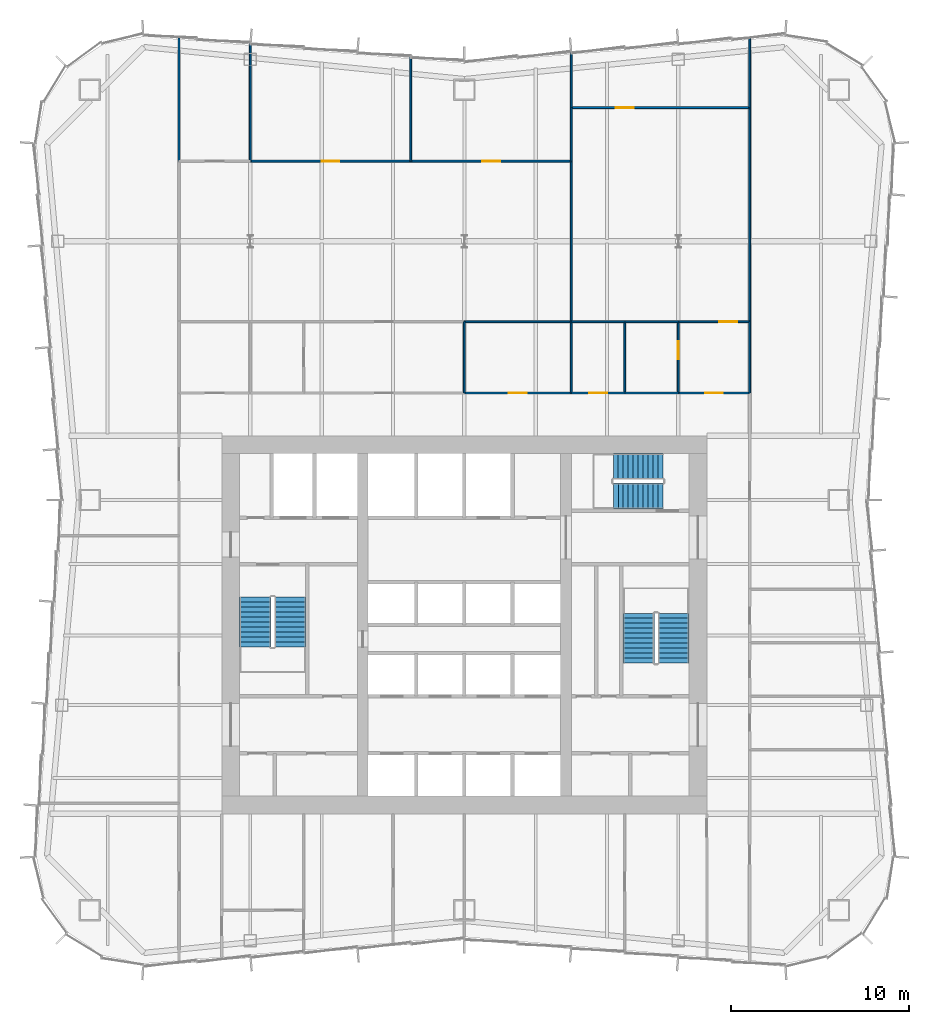
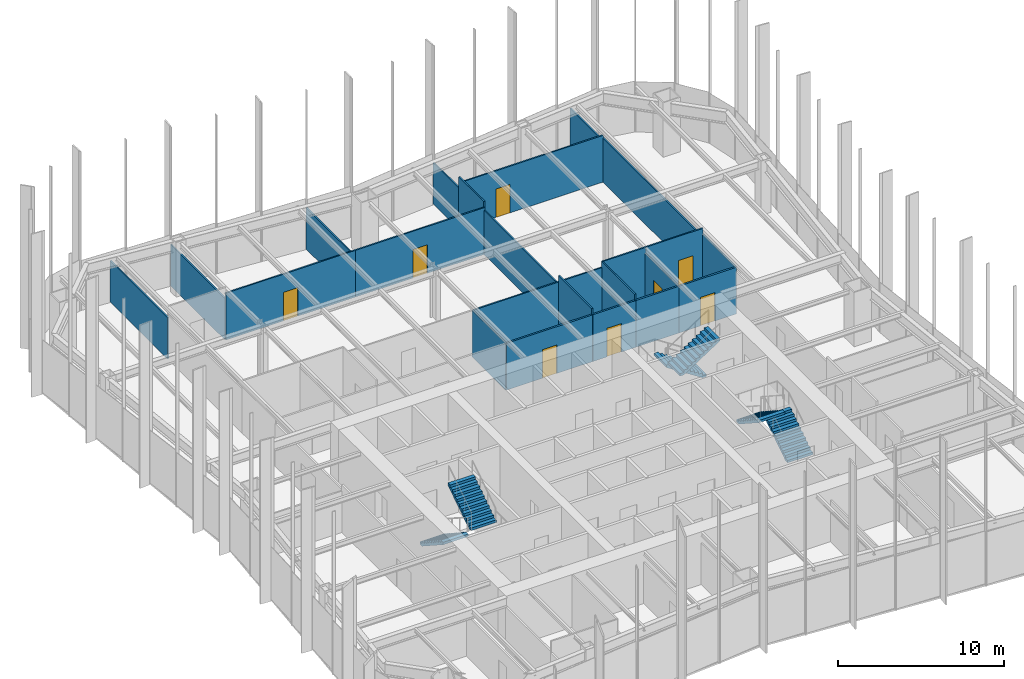
# One storey, part 12 of 13: 24 walls, 8 doors, 6 stair flights, 8 openings, 3 elements without a shape of their own.
"""IFC4 building model written with IfcOpenShell, lengths in metres."""

from ifc_helpers import new_model, si_unit, direction, frame, frame_2d, origin, place, context, subcontext, project, spatial, polyline, rectangle, outline, extrude, material, layer, layer_set, type_object, element, fill, aggregate, save


model = new_model("IFC4")

# Units and contexts
model_context = context("Model", 3, precision=1e-05, world=origin(), true_north=direction((0.0, 1.0)))
body_context = subcontext(model_context, "Body", "Model", "MODEL_VIEW")
ifc_project = project(units=[si_unit("LENGTHUNIT", "METRE"), si_unit("AREAUNIT", "SQUARE_METRE"), si_unit("VOLUMEUNIT", "CUBIC_METRE"), si_unit("PLANEANGLEUNIT", "RADIAN"), si_unit("MASSUNIT", "GRAM", prefix="KILO")], contexts=[model_context])

# Site, building, storey
site_placement = place(None, origin())
site = spatial("IfcSite", under=ifc_project, at=site_placement, CompositionType="ELEMENT")
building_placement = place(site_placement, origin())
building = spatial("IfcBuilding", under=site, at=building_placement, Name="Verdant Reach Tower", CompositionType="ELEMENT")
storey_placement = place(building_placement, frame((0.0, 0.0, 138.0)))
storey = spatial("IfcBuildingStorey", under=building, at=storey_placement, Name="L31", CompositionType="ELEMENT", Elevation=138.0)

# Walls
ifc_material_1 = material(Name="Gypsum board on steel studs", Category="steel")
ifc_layer_1 = layer(ifc_material_1, 0.10009765625)
ifc_layer_set_1 = layer_set([ifc_layer_1], Name="FL-W1 Partition 100")
wall_type_1 = type_object("IfcWallType", Name="FL-W1 Partition 100", PredefinedType="PARTITIONING", material=ifc_layer_set_1)
wall_1_placement = place(storey_placement, frame((-16.0, 54.0, 0.0), z_axis=(0.0, 0.0, 1.0), x_axis=(0.0, 1.0, 0.0)))
element("IfcWall", 1, at=wall_1_placement, inside=storey, type_object=wall_type_1, Name="Partition 31.23", PredefinedType="PARTITIONING", context=body_context, shape_type="SweptSolid", body=[
    extrude(rectangle(XDim=6.913330078125, YDim=0.10009765625, at=frame_2d((3.45654296875, 0.0))), origin(), (0.0, 0.0, 1.0), 3.0400390625),
])
wall_2_placement = place(storey_placement, frame((16.0, 45.0, 0.0), z_axis=(0.0, 0.0, 1.0), x_axis=(0.0, -1.0, 0.0)))
element("IfcWall", 2, at=wall_2_placement, inside=storey, type_object=wall_type_1, Name="Partition 31.28", PredefinedType="PARTITIONING", context=body_context, shape_type="SweptSolid", body=[
    extrude(rectangle(XDim=4.0, YDim=0.10009765625, at=frame_2d((2.0, 0.0))), origin(), (0.0, 0.0, 1.0), 3.43994140625),
])
wall_3_placement = place(storey_placement, frame((16.0, 57.0, 0.0), z_axis=(0.0, 0.0, 1.0), x_axis=(0.0, -1.0, 0.0)))
element("IfcWall", 3, at=wall_3_placement, inside=storey, type_object=wall_type_1, Name="Partition 31.29", PredefinedType="PARTITIONING", context=body_context, shape_type="SweptSolid", body=[
    extrude(rectangle(XDim=12.0, YDim=0.10009765625, at=frame_2d((6.0, 0.0))), origin(), (0.0, 0.0, 1.0), 3.239990234375),
])
wall_4_placement = place(storey_placement, frame((16.0, 60.913330078125, 0.0), z_axis=(0.0, 0.0, 1.0), x_axis=(0.0, -1.0, 0.0)))
element("IfcWall", 4, at=wall_4_placement, inside=storey, type_object=wall_type_1, Name="Partition 31.30", PredefinedType="PARTITIONING", context=body_context, shape_type="SweptSolid", body=[
    extrude(rectangle(XDim=3.913330078125, YDim=0.10009765625, at=frame_2d((1.95654296875, 0.0))), origin(), (0.0, 0.0, 1.0), 3.0400390625),
])
wall_5_placement = place(storey_placement, frame((0.0, 41.0, 0.0), z_axis=(0.0, 0.0, 1.0), x_axis=(0.0, 1.0, 0.0)))
element("IfcWall", 5, at=wall_5_placement, inside=storey, type_object=wall_type_1, Name="Partition 31.41", PredefinedType="PARTITIONING", context=body_context, shape_type="SweptSolid", body=[
    extrude(rectangle(XDim=4.0, YDim=0.10009765625, at=frame_2d((2.0, 0.0))), origin(), (0.0, 0.0, 1.0), 3.43994140625),
])
wall_6_placement = place(storey_placement, frame((6.0, 45.0, 0.0), z_axis=(0.0, 0.0, 1.0), x_axis=(-1.0, 0.0, 0.0)))
element("IfcWall", 6, at=wall_6_placement, inside=storey, type_object=wall_type_1, Name="Partition 31.43", PredefinedType="PARTITIONING", context=body_context, shape_type="SweptSolid", body=[
    extrude(rectangle(XDim=6.00390625, YDim=0.10009765625, at=frame_2d((3.001953125, 0.0))), origin(), (0.0, 0.0, 1.0), 3.43994140625),
])
wall_7_placement = place(storey_placement, frame((6.0, 41.0, 0.0), z_axis=(0.0, 0.0, 1.0), x_axis=(0.0, 1.0, 0.0)))
element("IfcWall", 7, at=wall_7_placement, inside=storey, type_object=wall_type_1, Name="Partition 31.44", PredefinedType="PARTITIONING", context=body_context, shape_type="SweptSolid", body=[
    extrude(rectangle(XDim=4.0, YDim=0.10009765625, at=frame_2d((2.0, 0.0))), origin(), (0.0, 0.0, 1.0), 3.8701171875),
])

# Wall, opening, door
wall_8_placement = place(storey_placement, frame((-12.0, 54.0, 0.0), z_axis=(0.0, 0.0, 1.0), x_axis=(1.0, 0.0, 0.0)))
wall_8 = element("IfcWall", 8, at=wall_8_placement, inside=storey, type_object=wall_type_1, Name="Partition 31.46", PredefinedType="PARTITIONING", context=body_context, shape_type="SweptSolid", body=[
    extrude(rectangle(XDim=9.0, YDim=0.10009765625, at=frame_2d((4.5, 0.0))), origin(), (0.0, 0.0, 1.0), 3.43994140625),
])
opening_1_placement = place(wall_8_placement, frame((4.0, 0.0, 0.0)))
opening_1 = element("IfcOpeningElement", 9, at=opening_1_placement, cuts=wall_8, Name="Opening D3", PredefinedType="OPENING", context=body_context, shape_type="SweptSolid", body=[
    extrude(rectangle(XDim=1.0, YDim=2.10009765625, at=frame_2d((0.5, 1.050048828125))), frame((0.0, 0.06005859375, 0.0), z_axis=(0.0, -1.0, 0.0), x_axis=(1.0, 0.0, 0.0)), (0.0, 0.0, 1.0), 0.1201171875),
])
ifc_material_2 = material(Name="Painted timber door leaf", Category="wood")
door_type_1 = type_object("IfcDoorType", Name="FL-D3 Door 1000x2100", OperationType="NOTDEFINED", PredefinedType="DOOR", material=ifc_material_2)
door_1_placement = place(opening_1_placement, origin())
door_1 = element("IfcDoor", 10, at=door_1_placement, inside=storey, type_object=door_type_1, Name="Door 31-023", OperationType="SINGLE_SWING_LEFT", OverallHeight=2.10009765625, OverallWidth=1.0, PredefinedType="DOOR", context=body_context, shape_type="SweptSolid", body=[
    extrude(rectangle(XDim=1.0, YDim=2.10009765625, at=frame_2d((0.5, 1.050048828125))), frame((0.0, 0.02490234375, 0.0), z_axis=(0.0, -1.0, 0.0), x_axis=(1.0, 0.0, 0.0)), (0.0, 0.0, 1.0), 0.050048828125),
])
fill(opening_1, door_1)

wall_9_placement = place(storey_placement, frame((-3.0, 54.0, 0.0), z_axis=(0.0, 0.0, 1.0), x_axis=(1.0, 0.0, 0.0)))
wall_9 = element("IfcWall", 11, at=wall_9_placement, inside=storey, type_object=wall_type_1, Name="Partition 31.47", PredefinedType="PARTITIONING", context=body_context, shape_type="SweptSolid", body=[
    extrude(rectangle(XDim=9.0, YDim=0.10009765625, at=frame_2d((4.5, 0.0))), origin(), (0.0, 0.0, 1.0), 3.43994140625),
])
opening_2_placement = place(wall_9_placement, frame((4.0, 0.0, 0.0)))
opening_2 = element("IfcOpeningElement", 12, at=opening_2_placement, cuts=wall_9, Name="Opening D3", PredefinedType="OPENING", context=body_context, shape_type="SweptSolid", body=[
    extrude(rectangle(XDim=1.0, YDim=2.10009765625, at=frame_2d((0.5, 1.050048828125))), frame((0.0, 0.06005859375, 0.0), z_axis=(0.0, -1.0, 0.0), x_axis=(1.0, 0.0, 0.0)), (0.0, 0.0, 1.0), 0.1201171875),
])
door_2_placement = place(opening_2_placement, origin())
door_2 = element("IfcDoor", 13, at=door_2_placement, inside=storey, type_object=door_type_1, Name="Door 31-024", OperationType="SINGLE_SWING_RIGHT", OverallHeight=2.10009765625, OverallWidth=1.0, PredefinedType="DOOR", context=body_context, shape_type="SweptSolid", body=[
    extrude(rectangle(XDim=1.0, YDim=2.10009765625, at=frame_2d((0.5, 1.050048828125))), frame((0.0, 0.02490234375, 0.0), z_axis=(0.0, -1.0, 0.0), x_axis=(1.0, 0.0, 0.0)), (0.0, 0.0, 1.0), 0.050048828125),
])
fill(opening_2, door_2)

# Walls
wall_10_placement = place(storey_placement, frame((6.0, 45.0, 0.0), z_axis=(0.0, 0.0, 1.0), x_axis=(0.0, 1.0, 0.0)))
element("IfcWall", 14, at=wall_10_placement, inside=storey, type_object=wall_type_1, Name="Partition 31.48", PredefinedType="PARTITIONING", context=body_context, shape_type="SweptSolid", body=[
    extrude(rectangle(XDim=9.00390625, YDim=0.10009765625, at=frame_2d((4.501953125, 0.0))), origin(), (0.0, 0.0, 1.0), 3.239990234375),
])
wall_11_placement = place(storey_placement, frame((-12.0, 54.0, 0.0), z_axis=(0.0, 0.0, 1.0), x_axis=(0.0, 1.0, 0.0)))
element("IfcWall", 15, at=wall_11_placement, inside=storey, type_object=wall_type_1, Name="Partition 31.49", PredefinedType="PARTITIONING", context=body_context, shape_type="SweptSolid", body=[
    extrude(rectangle(XDim=6.580078125, YDim=0.10009765625, at=frame_2d((3.2900390625, 0.0))), origin(), (0.0, 0.0, 1.0), 3.0400390625),
])
wall_12_placement = place(storey_placement, frame((-3.0, 54.0, 0.0), z_axis=(0.0, 0.0, 1.0), x_axis=(0.0, 1.0, 0.0)))
element("IfcWall", 16, at=wall_12_placement, inside=storey, type_object=wall_type_1, Name="Partition 31.50", PredefinedType="PARTITIONING", context=body_context, shape_type="SweptSolid", body=[
    extrude(rectangle(XDim=5.830078125, YDim=0.10009765625, at=frame_2d((2.9150390625, 0.0))), origin(), (0.0, 0.0, 1.0), 3.0400390625),
])
wall_13_placement = place(storey_placement, frame((6.0, 53.99609375, 0.0), z_axis=(0.0, 0.0, 1.0), x_axis=(0.0, 1.0, 0.0)))
element("IfcWall", 17, at=wall_13_placement, inside=storey, type_object=wall_type_1, Name="Partition 31.51", PredefinedType="PARTITIONING", context=body_context, shape_type="SweptSolid", body=[
    extrude(rectangle(XDim=3.00390625, YDim=0.10009765625, at=frame_2d((1.501953125, 0.0))), origin(), (0.0, 0.0, 1.0), 3.8701171875),
])
wall_14_placement = place(storey_placement, frame((6.0, 57.0, 0.0), z_axis=(0.0, 0.0, 1.0), x_axis=(0.0, 1.0, 0.0)))
element("IfcWall", 18, at=wall_14_placement, inside=storey, type_object=wall_type_1, Name="Partition 31.52", PredefinedType="PARTITIONING", context=body_context, shape_type="SweptSolid", body=[
    extrude(rectangle(XDim=3.080078125, YDim=0.10009765625, at=frame_2d((1.5400390625, 0.0))), origin(), (0.0, 0.0, 1.0), 3.0400390625),
])
wall_15_placement = place(storey_placement, frame((9.0, 41.0, 0.0), z_axis=(0.0, 0.0, 1.0), x_axis=(0.0, 1.0, 0.0)))
element("IfcWall", 19, at=wall_15_placement, inside=storey, type_object=wall_type_1, Name="Partition 31.53", PredefinedType="PARTITIONING", context=body_context, shape_type="SweptSolid", body=[
    extrude(rectangle(XDim=4.0, YDim=0.10009765625, at=frame_2d((2.0, 0.0))), origin(), (0.0, 0.0, 1.0), 3.8701171875),
])
wall_16_placement = place(storey_placement, frame((9.00390625, 45.0, 0.0), z_axis=(0.0, 0.0, 1.0), x_axis=(-1.0, 0.0, 0.0)))
element("IfcWall", 20, at=wall_16_placement, inside=storey, type_object=wall_type_1, Name="Partition 31.54", PredefinedType="PARTITIONING", context=body_context, shape_type="SweptSolid", body=[
    extrude(rectangle(XDim=3.00390625, YDim=0.10009765625, at=frame_2d((1.501953125, 0.0))), origin(), (0.0, 0.0, 1.0), 3.43994140625),
])

# Wall, opening, door
wall_17_placement = place(storey_placement, frame((12.0, 41.0, 0.0), z_axis=(0.0, 0.0, 1.0), x_axis=(0.0, 1.0, 0.0)))
wall_17 = element("IfcWall", 21, at=wall_17_placement, inside=storey, type_object=wall_type_1, Name="Partition 31.55", PredefinedType="PARTITIONING", context=body_context, shape_type="SweptSolid", body=[
    extrude(rectangle(XDim=4.0, YDim=0.10009765625, at=frame_2d((2.0, 0.0))), origin(), (0.0, 0.0, 1.0), 3.43994140625),
])
opening_3_placement = place(wall_17_placement, frame((1.89990234375, 0.0, 0.0)))
opening_3 = element("IfcOpeningElement", 22, at=opening_3_placement, cuts=wall_17, Name="Opening D3", PredefinedType="OPENING", context=body_context, shape_type="SweptSolid", body=[
    extrude(rectangle(XDim=1.0, YDim=2.10009765625, at=frame_2d((0.5, 1.050048828125))), frame((0.0, 0.06005859375, 0.0), z_axis=(0.0, -1.0, 0.0), x_axis=(1.0, 0.0, 0.0)), (0.0, 0.0, 1.0), 0.1201171875),
])
door_3_placement = place(opening_3_placement, origin())
door_3 = element("IfcDoor", 23, at=door_3_placement, inside=storey, type_object=door_type_1, Name="Door 31-025", OperationType="SINGLE_SWING_RIGHT", OverallHeight=2.10009765625, OverallWidth=1.0, PredefinedType="DOOR", context=body_context, shape_type="SweptSolid", body=[
    extrude(rectangle(XDim=1.0, YDim=2.10009765625, at=frame_2d((0.5, 1.050048828125))), frame((0.0, 0.02490234375, 0.0), z_axis=(0.0, -1.0, 0.0), x_axis=(1.0, 0.0, 0.0)), (0.0, 0.0, 1.0), 0.050048828125),
])
fill(opening_3, door_3)

# Wall
wall_18_placement = place(storey_placement, frame((12.00390625, 45.0, 0.0), z_axis=(0.0, 0.0, 1.0), x_axis=(-1.0, 0.0, 0.0)))
element("IfcWall", 24, at=wall_18_placement, inside=storey, type_object=wall_type_1, Name="Partition 31.56", PredefinedType="PARTITIONING", context=body_context, shape_type="SweptSolid", body=[
    extrude(rectangle(XDim=3.0078125, YDim=0.10009765625, at=frame_2d((1.50390625, 0.0))), origin(), (0.0, 0.0, 1.0), 3.8701171875),
])

# Wall, opening, door
wall_19_placement = place(storey_placement, frame((11.99609375, 45.0, 0.0), z_axis=(0.0, 0.0, 1.0), x_axis=(1.0, 0.0, 0.0)))
wall_19 = element("IfcWall", 25, at=wall_19_placement, inside=storey, type_object=wall_type_1, Name="Partition 31.57", PredefinedType="PARTITIONING", context=body_context, shape_type="SweptSolid", body=[
    extrude(rectangle(XDim=4.00390625, YDim=0.10009765625, at=frame_2d((2.001953125, 0.0))), origin(), (0.0, 0.0, 1.0), 3.8701171875),
])
opening_4_placement = place(wall_19_placement, frame((2.302001953125, 0.0, 0.0)))
opening_4 = element("IfcOpeningElement", 26, at=opening_4_placement, cuts=wall_19, Name="Opening D3", PredefinedType="OPENING", context=body_context, shape_type="SweptSolid", body=[
    extrude(rectangle(XDim=1.0, YDim=2.10009765625, at=frame_2d((0.5, 1.050048828125))), frame((0.0, 0.06005859375, 0.0), z_axis=(0.0, -1.0, 0.0), x_axis=(1.0, 0.0, 0.0)), (0.0, 0.0, 1.0), 0.1201171875),
])
door_4_placement = place(opening_4_placement, origin())
door_4 = element("IfcDoor", 27, at=door_4_placement, inside=storey, type_object=door_type_1, Name="Door 31-026", OperationType="SINGLE_SWING_RIGHT", OverallHeight=2.10009765625, OverallWidth=1.0, PredefinedType="DOOR", context=body_context, shape_type="SweptSolid", body=[
    extrude(rectangle(XDim=1.0, YDim=2.10009765625, at=frame_2d((0.5, 1.050048828125))), frame((0.0, 0.02490234375, 0.0), z_axis=(0.0, -1.0, 0.0), x_axis=(1.0, 0.0, 0.0)), (0.0, 0.0, 1.0), 0.050048828125),
])
fill(opening_4, door_4)

wall_20_placement = place(storey_placement, frame((6.0, 57.0, 0.0), z_axis=(0.0, 0.0, 1.0), x_axis=(1.0, 0.0, 0.0)))
wall_20 = element("IfcWall", 28, at=wall_20_placement, inside=storey, type_object=wall_type_1, Name="Partition 31.58", PredefinedType="PARTITIONING", context=body_context, shape_type="SweptSolid", body=[
    extrude(rectangle(XDim=10.0, YDim=0.10009765625, at=frame_2d((5.0, 0.0))), origin(), (0.0, 0.0, 1.0), 3.43994140625),
])
opening_5_placement = place(wall_20_placement, frame((2.5, 0.0, 0.0)))
opening_5 = element("IfcOpeningElement", 29, at=opening_5_placement, cuts=wall_20, Name="Opening D3", PredefinedType="OPENING", context=body_context, shape_type="SweptSolid", body=[
    extrude(rectangle(XDim=1.0, YDim=2.10009765625, at=frame_2d((0.5, 1.050048828125))), frame((0.0, 0.06005859375, 0.0), z_axis=(0.0, -1.0, 0.0), x_axis=(1.0, 0.0, 0.0)), (0.0, 0.0, 1.0), 0.1201171875),
])
door_5_placement = place(opening_5_placement, origin())
door_5 = element("IfcDoor", 30, at=door_5_placement, inside=storey, type_object=door_type_1, Name="Door 31-027", OperationType="SINGLE_SWING_LEFT", OverallHeight=2.10009765625, OverallWidth=1.0, PredefinedType="DOOR", context=body_context, shape_type="SweptSolid", body=[
    extrude(rectangle(XDim=1.0, YDim=2.10009765625, at=frame_2d((0.5, 1.050048828125))), frame((0.0, 0.02490234375, 0.0), z_axis=(0.0, -1.0, 0.0), x_axis=(1.0, 0.0, 0.0)), (0.0, 0.0, 1.0), 0.050048828125),
])
fill(opening_5, door_5)

ifc_material_3 = material(Name="Gypsum board on steel studs, fire rated", Category="steel")
ifc_layer_2 = layer(ifc_material_3, 0.125)
ifc_layer_set_2 = layer_set([ifc_layer_2], Name="FL-W2 Corridor wall 125")
wall_type_2 = type_object("IfcWallType", Name="FL-W2 Corridor wall 125", PredefinedType="PARTITIONING", material=ifc_layer_set_2)
wall_21_placement = place(storey_placement, frame((0.0, 41.0, 0.0), z_axis=(0.0, 0.0, 1.0), x_axis=(1.0, 0.0, 0.0)))
wall_21 = element("IfcWall", 31, at=wall_21_placement, inside=storey, type_object=wall_type_2, Name="Partition 31.15", PredefinedType="PARTITIONING", context=body_context, shape_type="SweptSolid", body=[
    extrude(rectangle(XDim=6.0, YDim=0.125, at=frame_2d((3.0, 0.0))), origin(), (0.0, 0.0, 1.0), 3.43994140625),
])
opening_6_placement = place(wall_21_placement, frame((2.5, 0.0, 0.0)))
opening_6 = element("IfcOpeningElement", 32, at=opening_6_placement, cuts=wall_21, Name="Opening D2", PredefinedType="OPENING", context=body_context, shape_type="SweptSolid", body=[
    extrude(rectangle(XDim=1.0, YDim=2.10009765625, at=frame_2d((0.5, 1.050048828125))), frame((0.0, 0.072509765625, 0.0), z_axis=(0.0, -1.0, 0.0), x_axis=(1.0, 0.0, 0.0)), (0.0, 0.0, 1.0), 0.14501953125),
])
ifc_material_4 = material(Name="Timber door leaf, fire rated", Category="wood")
door_type_2 = type_object("IfcDoorType", Name="FL-D2 Entrance door 1000x2100 FD30", OperationType="NOTDEFINED", PredefinedType="DOOR", material=ifc_material_4)
door_6_placement = place(opening_6_placement, origin())
door_6 = element("IfcDoor", 33, at=door_6_placement, inside=storey, type_object=door_type_2, Name="Door 31-013", OperationType="SINGLE_SWING_LEFT", OverallHeight=2.10009765625, OverallWidth=1.0, PredefinedType="DOOR", context=body_context, shape_type="SweptSolid", body=[
    extrude(rectangle(XDim=1.0, YDim=2.10009765625, at=frame_2d((0.5, 1.050048828125))), frame((0.0, 0.02490234375, 0.0), z_axis=(0.0, -1.0, 0.0), x_axis=(1.0, 0.0, 0.0)), (0.0, 0.0, 1.0), 0.050048828125),
])
fill(opening_6, door_6)

wall_22_placement = place(storey_placement, frame((6.0, 41.0, 0.0), z_axis=(0.0, 0.0, 1.0), x_axis=(1.0, 0.0, 0.0)))
wall_22 = element("IfcWall", 34, at=wall_22_placement, inside=storey, type_object=wall_type_2, Name="Partition 31.16", PredefinedType="PARTITIONING", context=body_context, shape_type="SweptSolid", body=[
    extrude(rectangle(XDim=3.0, YDim=0.125, at=frame_2d((1.5, 0.0))), origin(), (0.0, 0.0, 1.0), 3.43994140625),
])
opening_7_placement = place(wall_22_placement, frame((1.0, 0.0, 0.0)))
opening_7 = element("IfcOpeningElement", 35, at=opening_7_placement, cuts=wall_22, Name="Opening D2", PredefinedType="OPENING", context=body_context, shape_type="SweptSolid", body=[
    extrude(rectangle(XDim=1.0, YDim=2.10009765625, at=frame_2d((0.5, 1.050048828125))), frame((0.0, 0.072509765625, 0.0), z_axis=(0.0, -1.0, 0.0), x_axis=(1.0, 0.0, 0.0)), (0.0, 0.0, 1.0), 0.14501953125),
])
door_7_placement = place(opening_7_placement, origin())
door_7 = element("IfcDoor", 36, at=door_7_placement, inside=storey, type_object=door_type_2, Name="Door 31-014", OperationType="SINGLE_SWING_RIGHT", OverallHeight=2.10009765625, OverallWidth=1.0, PredefinedType="DOOR", context=body_context, shape_type="SweptSolid", body=[
    extrude(rectangle(XDim=1.0, YDim=2.10009765625, at=frame_2d((0.5, 1.050048828125))), frame((0.0, 0.02490234375, 0.0), z_axis=(0.0, -1.0, 0.0), x_axis=(1.0, 0.0, 0.0)), (0.0, 0.0, 1.0), 0.050048828125),
])
fill(opening_7, door_7)

# Wall
wall_23_placement = place(storey_placement, frame((12.0, 41.0, 0.0), z_axis=(0.0, 0.0, 1.0), x_axis=(-1.0, 0.0, 0.0)))
element("IfcWall", 37, at=wall_23_placement, inside=storey, type_object=wall_type_2, Name="Partition 31.17", PredefinedType="PARTITIONING", context=body_context, shape_type="SweptSolid", body=[
    extrude(rectangle(XDim=3.0, YDim=0.125, at=frame_2d((1.5, 0.0))), origin(), (0.0, 0.0, 1.0), 3.43994140625),
])

# Wall, opening, door
wall_24_placement = place(storey_placement, frame((12.0, 41.0, 0.0), z_axis=(0.0, 0.0, 1.0), x_axis=(1.0, 0.0, 0.0)))
wall_24 = element("IfcWall", 38, at=wall_24_placement, inside=storey, type_object=wall_type_2, Name="Partition 31.18", PredefinedType="PARTITIONING", context=body_context, shape_type="SweptSolid", body=[
    extrude(rectangle(XDim=4.0, YDim=0.125, at=frame_2d((2.0, 0.0))), origin(), (0.0, 0.0, 1.0), 3.43994140625),
])
opening_8_placement = place(wall_24_placement, frame((1.5, 0.0, 0.0)))
opening_8 = element("IfcOpeningElement", 39, at=opening_8_placement, cuts=wall_24, Name="Opening D2", PredefinedType="OPENING", context=body_context, shape_type="SweptSolid", body=[
    extrude(rectangle(XDim=1.0, YDim=2.10009765625, at=frame_2d((0.5, 1.050048828125))), frame((0.0, 0.072509765625, 0.0), z_axis=(0.0, -1.0, 0.0), x_axis=(1.0, 0.0, 0.0)), (0.0, 0.0, 1.0), 0.14501953125),
])
door_8_placement = place(opening_8_placement, origin())
door_8 = element("IfcDoor", 40, at=door_8_placement, inside=storey, type_object=door_type_2, Name="Door 31-015", OperationType="SINGLE_SWING_LEFT", OverallHeight=2.10009765625, OverallWidth=1.0, PredefinedType="DOOR", context=body_context, shape_type="SweptSolid", body=[
    extrude(rectangle(XDim=1.0, YDim=2.10009765625, at=frame_2d((0.5, 1.050048828125))), frame((0.0, 0.02490234375, 0.0), z_axis=(0.0, -1.0, 0.0), x_axis=(1.0, 0.0, 0.0)), (0.0, 0.0, 1.0), 0.050048828125),
])
fill(opening_8, door_8)

# Stair, stair flights
ifc_material_5 = material(Name="Concrete C40/50", Category="concrete")
stair_type = type_object("IfcStairType", Name="CO-STAIR", PredefinedType="HALF_TURN_STAIR", material=ifc_material_5)
stair_1_placement = place(storey_placement, origin())
stair_1 = element("IfcStair", 41, at=stair_1_placement, inside=storey, type_object=stair_type, Name="L31 Exit stair 1", PredefinedType="HALF_TURN_STAIR")
stair_flight_type = type_object("IfcStairFlightType", Name="CO-STAIR-FLIGHT", PredefinedType="STRAIGHT", material=ifc_material_5)
stair_flight_1_placement = place(storey_placement, frame((-11.72509765625, 29.550048828125, 0.0), z_axis=(0.0, 0.0, 1.0), x_axis=(0.0, -1.0, 0.0)))
stair_flight_1 = element("IfcStairFlight", 42, at=stair_flight_1_placement, type_object=stair_flight_type, Name="ST-1 flight 1", NumberOfRisers=11, NumberOfTreads=10, PredefinedType="STRAIGHT", RiserHeight=0.181818182, TreadLength=0.28, context=body_context, shape_type="SweptSolid", body=[
    extrude(outline(polyline([(0.0, 0.0), (0.0, 0.181884765625), (0.280029296875, 0.181884765625), (0.280029296875, 0.363525390625), (0.56005859375, 0.363525390625), (0.56005859375, 0.54541015625), (0.840087890625, 0.54541015625), (0.840087890625, 0.727294921875), (1.1201171875, 0.727294921875), (1.1201171875, 0.9091796875), (1.39990234375, 0.9091796875), (1.39990234375, 1.0908203125), (1.679931640625, 1.0908203125), (1.679931640625, 1.272705078125), (1.9599609375, 1.272705078125), (1.9599609375, 1.45458984375), (2.239990234375, 1.45458984375), (2.239990234375, 1.636474609375), (2.52001953125, 1.636474609375), (2.52001953125, 1.818115234375), (2.800048828125, 1.818115234375), (2.800048828125, 2.0), (2.800048828125, 1.639404296875), (0.275146484375, 0.0), (0.0, 0.0)])), frame((0.0, 0.875, 0.0), z_axis=(0.0, -1.0, 0.0), x_axis=(1.0, 0.0, 0.0)), (0.0, 0.0, 1.0), 1.75),
])
stair_flight_2_placement = place(storey_placement, frame((-9.77490234375, 26.75, 2.0), z_axis=(0.0, 0.0, 1.0), x_axis=(0.0, 1.0, 0.0)))
stair_flight_2 = element("IfcStairFlight", 43, at=stair_flight_2_placement, type_object=stair_flight_type, Name="ST-1 flight 2", NumberOfRisers=11, NumberOfTreads=10, PredefinedType="STRAIGHT", RiserHeight=0.181818182, TreadLength=0.28, context=body_context, shape_type="SweptSolid", body=[
    extrude(outline(polyline([(0.0, 0.0), (0.0, 0.181884765625), (0.280029296875, 0.181884765625), (0.280029296875, 0.363525390625), (0.56005859375, 0.363525390625), (0.56005859375, 0.54541015625), (0.840087890625, 0.54541015625), (0.840087890625, 0.727294921875), (1.1201171875, 0.727294921875), (1.1201171875, 0.9091796875), (1.39990234375, 0.9091796875), (1.39990234375, 1.0908203125), (1.679931640625, 1.0908203125), (1.679931640625, 1.272705078125), (1.9599609375, 1.272705078125), (1.9599609375, 1.45458984375), (2.239990234375, 1.45458984375), (2.239990234375, 1.636474609375), (2.52001953125, 1.636474609375), (2.52001953125, 1.818115234375), (2.800048828125, 1.818115234375), (2.800048828125, 2.0), (2.800048828125, 1.639404296875), (0.275146484375, 0.0), (0.0, 0.0)])), frame((0.0, 0.875, 0.0), z_axis=(0.0, -1.0, 0.0), x_axis=(1.0, 0.0, 0.0)), (0.0, 0.0, 1.0), 1.75),
])
aggregate(stair_1, [stair_flight_1, stair_flight_2])

stair_2_placement = place(storey_placement, origin())
stair_2 = element("IfcStair", 44, at=stair_2_placement, inside=storey, type_object=stair_type, Name="L31 Exit stair 2", PredefinedType="HALF_TURN_STAIR")
stair_flight_3_placement = place(storey_placement, frame((11.72509765625, 25.85009765625, 0.0), z_axis=(0.0, 0.0, 1.0), x_axis=(0.0, 1.0, 0.0)))
stair_flight_3 = element("IfcStairFlight", 45, at=stair_flight_3_placement, type_object=stair_flight_type, Name="ST-2 flight 1", NumberOfRisers=11, NumberOfTreads=10, PredefinedType="STRAIGHT", RiserHeight=0.181818182, TreadLength=0.28, context=body_context, shape_type="SweptSolid", body=[
    extrude(outline(polyline([(0.0, 0.0), (0.0, 0.181884765625), (0.280029296875, 0.181884765625), (0.280029296875, 0.363525390625), (0.56005859375, 0.363525390625), (0.56005859375, 0.54541015625), (0.840087890625, 0.54541015625), (0.840087890625, 0.727294921875), (1.1201171875, 0.727294921875), (1.1201171875, 0.9091796875), (1.39990234375, 0.9091796875), (1.39990234375, 1.0908203125), (1.679931640625, 1.0908203125), (1.679931640625, 1.272705078125), (1.9599609375, 1.272705078125), (1.9599609375, 1.45458984375), (2.239990234375, 1.45458984375), (2.239990234375, 1.636474609375), (2.52001953125, 1.636474609375), (2.52001953125, 1.818115234375), (2.800048828125, 1.818115234375), (2.800048828125, 2.0), (2.800048828125, 1.639404296875), (0.275146484375, 0.0), (0.0, 0.0)])), frame((0.0, 0.875, 0.0), z_axis=(0.0, -1.0, 0.0), x_axis=(1.0, 0.0, 0.0)), (0.0, 0.0, 1.0), 1.75),
])
stair_flight_4_placement = place(storey_placement, frame((9.77490234375, 28.64990234375, 2.0), z_axis=(0.0, 0.0, 1.0), x_axis=(0.0, -1.0, 0.0)))
stair_flight_4 = element("IfcStairFlight", 46, at=stair_flight_4_placement, type_object=stair_flight_type, Name="ST-2 flight 2", NumberOfRisers=11, NumberOfTreads=10, PredefinedType="STRAIGHT", RiserHeight=0.181818182, TreadLength=0.28, context=body_context, shape_type="SweptSolid", body=[
    extrude(outline(polyline([(0.0, 0.0), (0.0, 0.181884765625), (0.280029296875, 0.181884765625), (0.280029296875, 0.363525390625), (0.56005859375, 0.363525390625), (0.56005859375, 0.54541015625), (0.840087890625, 0.54541015625), (0.840087890625, 0.727294921875), (1.1201171875, 0.727294921875), (1.1201171875, 0.9091796875), (1.39990234375, 0.9091796875), (1.39990234375, 1.0908203125), (1.679931640625, 1.0908203125), (1.679931640625, 1.272705078125), (1.9599609375, 1.272705078125), (1.9599609375, 1.45458984375), (2.239990234375, 1.45458984375), (2.239990234375, 1.636474609375), (2.52001953125, 1.636474609375), (2.52001953125, 1.818115234375), (2.800048828125, 1.818115234375), (2.800048828125, 2.0), (2.800048828125, 1.639404296875), (0.275146484375, 0.0), (0.0, 0.0)])), frame((0.0, 0.875, 0.0), z_axis=(0.0, -1.0, 0.0), x_axis=(1.0, 0.0, 0.0)), (0.0, 0.0, 1.0), 1.75),
])
aggregate(stair_2, [stair_flight_3, stair_flight_4])

stair_3_placement = place(storey_placement, origin())
stair_3 = element("IfcStair", 47, at=stair_3_placement, inside=storey, type_object=stair_type, Name="L31 Exit stair 3", PredefinedType="HALF_TURN_STAIR")
stair_flight_5_placement = place(storey_placement, frame((11.14990234375, 36.875, 0.0), z_axis=(0.0, 0.0, 1.0), x_axis=(-1.0, 0.0, 0.0)))
stair_flight_5 = element("IfcStairFlight", 48, at=stair_flight_5_placement, type_object=stair_flight_type, Name="ST-3 flight 1", NumberOfRisers=11, NumberOfTreads=10, PredefinedType="STRAIGHT", RiserHeight=0.181818182, TreadLength=0.28, context=body_context, shape_type="SweptSolid", body=[
    extrude(outline(polyline([(0.0, 0.0), (0.0, 0.181884765625), (0.280029296875, 0.181884765625), (0.280029296875, 0.363525390625), (0.56005859375, 0.363525390625), (0.56005859375, 0.54541015625), (0.840087890625, 0.54541015625), (0.840087890625, 0.727294921875), (1.1201171875, 0.727294921875), (1.1201171875, 0.9091796875), (1.39990234375, 0.9091796875), (1.39990234375, 1.0908203125), (1.679931640625, 1.0908203125), (1.679931640625, 1.272705078125), (1.9599609375, 1.272705078125), (1.9599609375, 1.45458984375), (2.239990234375, 1.45458984375), (2.239990234375, 1.636474609375), (2.52001953125, 1.636474609375), (2.52001953125, 1.818115234375), (2.800048828125, 1.818115234375), (2.800048828125, 2.0), (2.800048828125, 1.639404296875), (0.275146484375, 0.0), (0.0, 0.0)])), frame((0.0, 0.72509765625, 0.0), z_axis=(0.0, -1.0, 0.0), x_axis=(1.0, 0.0, 0.0)), (0.0, 0.0, 1.0), 1.449951171875),
])
stair_flight_6_placement = place(storey_placement, frame((8.35009765625, 35.22509765625, 2.0), z_axis=(0.0, 0.0, 1.0), x_axis=(1.0, 0.0, 0.0)))
stair_flight_6 = element("IfcStairFlight", 49, at=stair_flight_6_placement, type_object=stair_flight_type, Name="ST-3 flight 2", NumberOfRisers=11, NumberOfTreads=10, PredefinedType="STRAIGHT", RiserHeight=0.181818182, TreadLength=0.28, context=body_context, shape_type="SweptSolid", body=[
    extrude(outline(polyline([(0.0, 0.0), (0.0, 0.181884765625), (0.280029296875, 0.181884765625), (0.280029296875, 0.363525390625), (0.56005859375, 0.363525390625), (0.56005859375, 0.54541015625), (0.840087890625, 0.54541015625), (0.840087890625, 0.727294921875), (1.1201171875, 0.727294921875), (1.1201171875, 0.9091796875), (1.39990234375, 0.9091796875), (1.39990234375, 1.0908203125), (1.679931640625, 1.0908203125), (1.679931640625, 1.272705078125), (1.9599609375, 1.272705078125), (1.9599609375, 1.45458984375), (2.239990234375, 1.45458984375), (2.239990234375, 1.636474609375), (2.52001953125, 1.636474609375), (2.52001953125, 1.818115234375), (2.800048828125, 1.818115234375), (2.800048828125, 2.0), (2.800048828125, 1.639404296875), (0.275146484375, 0.0), (0.0, 0.0)])), frame((0.0, 0.72509765625, 0.0), z_axis=(0.0, -1.0, 0.0), x_axis=(1.0, 0.0, 0.0)), (0.0, 0.0, 1.0), 1.449951171875),
])
aggregate(stair_3, [stair_flight_5, stair_flight_6])

save(model, "model.ifc")
